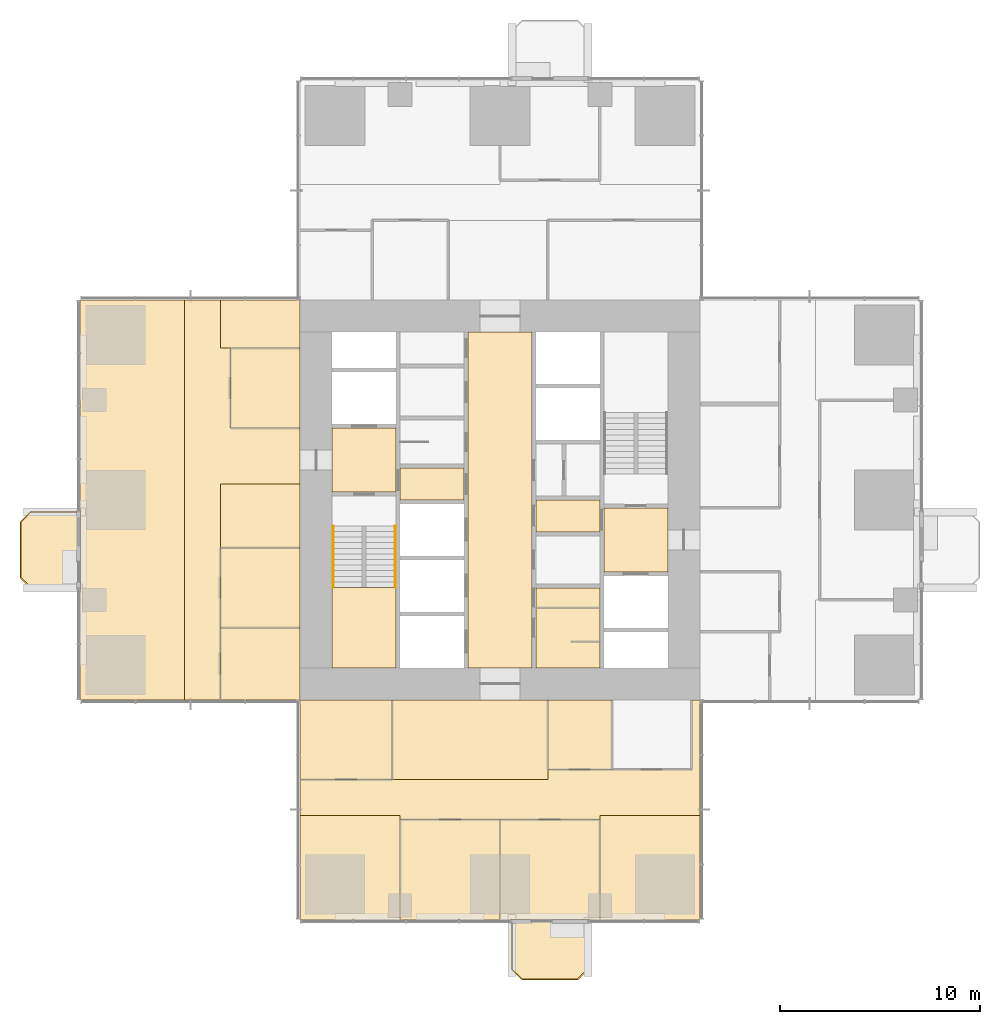
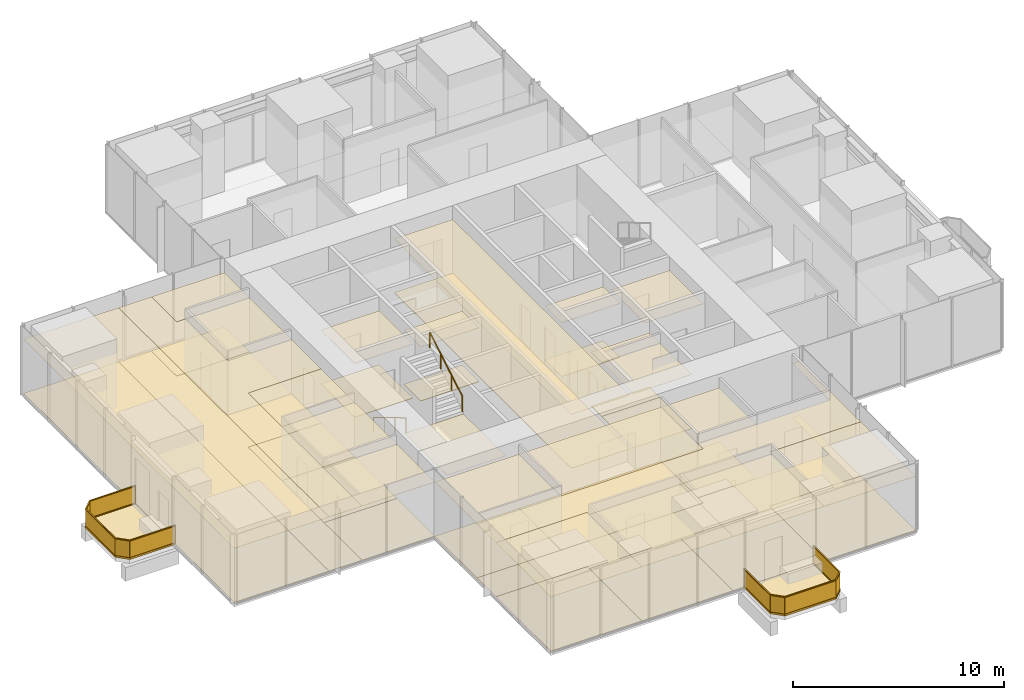
# One storey, part 11 of 13: 46 coverings, 4 railings.
"""IFC4 building model written with IfcOpenShell, lengths in metres."""

from ifc_helpers import new_model, si_unit, direction, frame, origin, origin_2d, place, context, subcontext, project, spatial, polyline, rectangle, circle, outline, extrude, material, layer, layer_set, type_object, element, save


model = new_model("IFC4")

# Units and contexts
model_context = context("Model", 3, precision=1e-05, world=origin(), true_north=direction((0.0, 1.0)))
body_context = subcontext(model_context, "Body", "Model", "MODEL_VIEW")
ifc_project = project(units=[si_unit("LENGTHUNIT", "METRE"), si_unit("AREAUNIT", "SQUARE_METRE"), si_unit("VOLUMEUNIT", "CUBIC_METRE"), si_unit("PLANEANGLEUNIT", "RADIAN"), si_unit("MASSUNIT", "GRAM", prefix="KILO")], contexts=[model_context])

# Site, building, storey
site_placement = place(None, origin())
site = spatial("IfcSite", under=ifc_project, at=site_placement, CompositionType="ELEMENT")
building_placement = place(site_placement, origin())
building = spatial("IfcBuilding", under=site, at=building_placement, Name="Svetlomir Tower", CompositionType="ELEMENT")
storey_placement = place(building_placement, frame((0.0, 0.0, 120.5)))
storey = spatial("IfcBuildingStorey", under=building, at=storey_placement, Name="L28", CompositionType="ELEMENT", Elevation=120.5)

# Railings
ifc_material_1 = material(Name="Bronze anodised aluminium and laminated glass", Category="aluminium")
railing_type_1 = type_object("IfcRailingType", Name="BALCONY GUARD GR1 1100", PredefinedType="GUARDRAIL", material=ifc_material_1)
railing_1_placement = place(storey_placement, frame((21.60009765625, 0.0, 0.0)))
element("IfcRailing", 1, at=railing_1_placement, inside=storey, type_object=railing_type_1, Name="Balcony guard S L28", PredefinedType="GUARDRAIL", context=body_context, shape_type="SweptSolid", body=[
    extrude(rectangle(XDim=0.06005859375, YDim=0.10009765625, at=origin_2d()), frame((0.0, 0.0, 0.050048828125), z_axis=(0.0, -1.0, 0.0), x_axis=(1.0, 0.0, 0.0)), (0.0, 0.0, 1.0), 2.5),
    extrude(rectangle(XDim=0.021484375, YDim=0.960205078125, at=origin_2d()), frame((0.0, 0.0, 0.580078125), z_axis=(0.0, -1.0, 0.0), x_axis=(1.0, 0.0, 0.0)), (0.0, 0.0, 1.0), 2.5),
    extrude(rectangle(XDim=0.06005859375, YDim=0.0400390625, at=origin_2d()), frame((0.0, 0.0, 1.080078125), z_axis=(0.0, -1.0, 0.0), x_axis=(1.0, 0.0, 0.0)), (0.0, 0.0, 1.0), 2.5),
    extrude(rectangle(XDim=0.06005859375, YDim=0.10009765625, at=origin_2d()), frame((0.0, -2.5, 0.050048828125), z_axis=(0.707106781187, -0.707106781187, 0.0), x_axis=(0.707106781187, 0.707106781187, 0.0)), (0.0, 0.0, 1.0), 0.70703125),
    extrude(rectangle(XDim=0.021484375, YDim=0.960205078125, at=origin_2d()), frame((0.0, -2.5, 0.580078125), z_axis=(0.707106781187, -0.707106781187, 0.0), x_axis=(0.707106781187, 0.707106781187, 0.0)), (0.0, 0.0, 1.0), 0.70703125),
    extrude(rectangle(XDim=0.06005859375, YDim=0.0400390625, at=origin_2d()), frame((0.0, -2.5, 1.080078125), z_axis=(0.707106781187, -0.707106781187, 0.0), x_axis=(0.707106781187, 0.707106781187, 0.0)), (0.0, 0.0, 1.0), 0.70703125),
    extrude(rectangle(XDim=0.06005859375, YDim=0.10009765625, at=origin_2d()), frame((0.5, -3.0, 0.050048828125), z_axis=(1.0, 0.0, 0.0), x_axis=(0.0, 1.0, 0.0)), (0.0, 0.0, 1.0), 2.7998046875),
    extrude(rectangle(XDim=0.021484375, YDim=0.960205078125, at=origin_2d()), frame((0.5, -3.0, 0.580078125), z_axis=(1.0, 0.0, 0.0), x_axis=(0.0, 1.0, 0.0)), (0.0, 0.0, 1.0), 2.7998046875),
    extrude(rectangle(XDim=0.06005859375, YDim=0.0400390625, at=origin_2d()), frame((0.5, -3.0, 1.080078125), z_axis=(1.0, 0.0, 0.0), x_axis=(0.0, 1.0, 0.0)), (0.0, 0.0, 1.0), 2.7998046875),
    extrude(rectangle(XDim=0.06005859375, YDim=0.10009765625, at=origin_2d()), frame((3.2998046875, -3.0, 0.050048828125), z_axis=(0.707106781187, 0.707106781187, 0.0), x_axis=(-0.707106781187, 0.707106781187, 0.0)), (0.0, 0.0, 1.0), 0.70703125),
    extrude(rectangle(XDim=0.021484375, YDim=0.960205078125, at=origin_2d()), frame((3.2998046875, -3.0, 0.580078125), z_axis=(0.707106781187, 0.707106781187, 0.0), x_axis=(-0.707106781187, 0.707106781187, 0.0)), (0.0, 0.0, 1.0), 0.70703125),
    extrude(rectangle(XDim=0.06005859375, YDim=0.0400390625, at=origin_2d()), frame((3.2998046875, -3.0, 1.080078125), z_axis=(0.707106781187, 0.707106781187, 0.0), x_axis=(-0.707106781187, 0.707106781187, 0.0)), (0.0, 0.0, 1.0), 0.70703125),
    extrude(rectangle(XDim=0.06005859375, YDim=0.10009765625, at=origin_2d()), frame((3.7998046875, -2.5, 0.050048828125), z_axis=(0.0, 1.0, 0.0), x_axis=(-1.0, 0.0, 0.0)), (0.0, 0.0, 1.0), 2.5),
    extrude(rectangle(XDim=0.021484375, YDim=0.960205078125, at=origin_2d()), frame((3.7998046875, -2.5, 0.580078125), z_axis=(0.0, 1.0, 0.0), x_axis=(-1.0, 0.0, 0.0)), (0.0, 0.0, 1.0), 2.5),
    extrude(rectangle(XDim=0.06005859375, YDim=0.0400390625, at=origin_2d()), frame((3.7998046875, -2.5, 1.080078125), z_axis=(0.0, 1.0, 0.0), x_axis=(-1.0, 0.0, 0.0)), (0.0, 0.0, 1.0), 2.5),
])
railing_2_placement = place(storey_placement, frame((0.0, 20.39990234375, 0.0)))
element("IfcRailing", 2, at=railing_2_placement, inside=storey, type_object=railing_type_1, Name="Balcony guard W L28", PredefinedType="GUARDRAIL", context=body_context, shape_type="SweptSolid", body=[
    extrude(rectangle(XDim=0.06005859375, YDim=0.10009765625, at=origin_2d()), frame((0.0, 0.0, 0.050048828125), z_axis=(-1.0, 0.0, 0.0), x_axis=(0.0, -1.0, 0.0)), (0.0, 0.0, 1.0), 2.5),
    extrude(rectangle(XDim=0.021484375, YDim=0.960205078125, at=origin_2d()), frame((0.0, 0.0, 0.580078125), z_axis=(-1.0, 0.0, 0.0), x_axis=(0.0, -1.0, 0.0)), (0.0, 0.0, 1.0), 2.5),
    extrude(rectangle(XDim=0.06005859375, YDim=0.0400390625, at=origin_2d()), frame((0.0, 0.0, 1.080078125), z_axis=(-1.0, 0.0, 0.0), x_axis=(0.0, -1.0, 0.0)), (0.0, 0.0, 1.0), 2.5),
    extrude(rectangle(XDim=0.06005859375, YDim=0.10009765625, at=origin_2d()), frame((-2.5, 0.0, 0.050048828125), z_axis=(-0.707106781187, -0.707106781187, 0.0), x_axis=(0.707106781187, -0.707106781187, 0.0)), (0.0, 0.0, 1.0), 0.70703125),
    extrude(rectangle(XDim=0.021484375, YDim=0.960205078125, at=origin_2d()), frame((-2.5, 0.0, 0.580078125), z_axis=(-0.707106781187, -0.707106781187, 0.0), x_axis=(0.707106781187, -0.707106781187, 0.0)), (0.0, 0.0, 1.0), 0.70703125),
    extrude(rectangle(XDim=0.06005859375, YDim=0.0400390625, at=origin_2d()), frame((-2.5, 0.0, 1.080078125), z_axis=(-0.707106781187, -0.707106781187, 0.0), x_axis=(0.707106781187, -0.707106781187, 0.0)), (0.0, 0.0, 1.0), 0.70703125),
    extrude(rectangle(XDim=0.06005859375, YDim=0.10009765625, at=origin_2d()), frame((-3.0, -0.5, 0.050048828125), z_axis=(0.0, -1.0, 0.0), x_axis=(1.0, 0.0, 0.0)), (0.0, 0.0, 1.0), 2.7998046875),
    extrude(rectangle(XDim=0.021484375, YDim=0.960205078125, at=origin_2d()), frame((-3.0, -0.5, 0.580078125), z_axis=(0.0, -1.0, 0.0), x_axis=(1.0, 0.0, 0.0)), (0.0, 0.0, 1.0), 2.7998046875),
    extrude(rectangle(XDim=0.06005859375, YDim=0.0400390625, at=origin_2d()), frame((-3.0, -0.5, 1.080078125), z_axis=(0.0, -1.0, 0.0), x_axis=(1.0, 0.0, 0.0)), (0.0, 0.0, 1.0), 2.7998046875),
    extrude(rectangle(XDim=0.06005859375, YDim=0.10009765625, at=origin_2d()), frame((-3.0, -3.2998046875, 0.050048828125), z_axis=(0.707106781187, -0.707106781187, 0.0), x_axis=(0.707106781187, 0.707106781187, 0.0)), (0.0, 0.0, 1.0), 0.70703125),
    extrude(rectangle(XDim=0.021484375, YDim=0.960205078125, at=origin_2d()), frame((-3.0, -3.2998046875, 0.580078125), z_axis=(0.707106781187, -0.707106781187, 0.0), x_axis=(0.707106781187, 0.707106781187, 0.0)), (0.0, 0.0, 1.0), 0.70703125),
    extrude(rectangle(XDim=0.06005859375, YDim=0.0400390625, at=origin_2d()), frame((-3.0, -3.2998046875, 1.080078125), z_axis=(0.707106781187, -0.707106781187, 0.0), x_axis=(0.707106781187, 0.707106781187, 0.0)), (0.0, 0.0, 1.0), 0.70703125),
    extrude(rectangle(XDim=0.06005859375, YDim=0.10009765625, at=origin_2d()), frame((-2.5, -3.7998046875, 0.050048828125), z_axis=(1.0, 0.0, 0.0), x_axis=(0.0, 1.0, 0.0)), (0.0, 0.0, 1.0), 2.5),
    extrude(rectangle(XDim=0.021484375, YDim=0.960205078125, at=origin_2d()), frame((-2.5, -3.7998046875, 0.580078125), z_axis=(1.0, 0.0, 0.0), x_axis=(0.0, 1.0, 0.0)), (0.0, 0.0, 1.0), 2.5),
    extrude(rectangle(XDim=0.06005859375, YDim=0.0400390625, at=origin_2d()), frame((-2.5, -3.7998046875, 1.080078125), z_axis=(1.0, 0.0, 0.0), x_axis=(0.0, 1.0, 0.0)), (0.0, 0.0, 1.0), 2.5),
])

# Coverings
ifc_material_2 = material(Name="Granite paving slabs on pedestals", Category="masonry")
ifc_layer_1 = layer(ifc_material_2, 0.0400390625)
ifc_layer_set_1 = layer_set([ifc_layer_1], Name="Granite paving slabs on pedestals")
covering_type_1 = type_object("IfcCoveringType", Name="BALCONY PAVING 40", PredefinedType="USERDEFINED", material=ifc_layer_set_1)
covering_1_placement = place(storey_placement, origin())
element("IfcCovering", 3, at=covering_1_placement, inside=storey, type_object=covering_type_1, Name="Balcony paving S L28", ObjectType="BALCONY PAVING", PredefinedType="USERDEFINED", context=body_context, shape_type="SweptSolid", body=[
    extrude(outline(polyline([(21.60009765625, -2.5), (22.10009765625, -3.0), (24.89990234375, -3.0), (25.39990234375, -2.5), (25.39990234375, 0.0), (21.60009765625, 0.0), (21.60009765625, -2.5)])), origin(), (0.0, 0.0, 1.0), 0.0400390625),
])
covering_2_placement = place(storey_placement, origin())
element("IfcCovering", 4, at=covering_2_placement, inside=storey, type_object=covering_type_1, Name="Balcony paving W L28", ObjectType="BALCONY PAVING", PredefinedType="USERDEFINED", context=body_context, shape_type="SweptSolid", body=[
    extrude(outline(polyline([(-2.5, 16.60009765625), (0.0, 16.60009765625), (0.0, 20.39990234375), (-2.5, 20.39990234375), (-3.0, 19.89990234375), (-3.0, 17.10009765625), (-2.5, 16.60009765625)])), origin(), (0.0, 0.0, 1.0), 0.0400390625),
])
ifc_material_3 = material(Name="Carpet tile", Category="textile")
ifc_layer_2 = layer(ifc_material_3, 0.010009765625)
ifc_layer_set_2 = layer_set([ifc_layer_2], Name="Carpet tile")
covering_type_2 = type_object("IfcCoveringType", Name="CARPET TILE FLOOR 10", PredefinedType="FLOORING", material=ifc_layer_set_2)
covering_3_placement = place(storey_placement, origin())
element("IfcCovering", 5, at=covering_3_placement, inside=storey, type_object=covering_type_2, Name="Floor finish L28-16", PredefinedType="FLOORING", context=body_context, shape_type="SweptSolid", body=[
    extrude(outline(polyline([(11.0, 7.0), (15.60009765625, 7.0), (15.60009765625, 11.0), (11.0, 11.0), (11.0, 7.0)])), origin(), (0.0, 0.0, 1.0), 0.010009765625),
])
covering_4_placement = place(storey_placement, origin())
element("IfcCovering", 6, at=covering_4_placement, inside=storey, type_object=covering_type_2, Name="Floor finish L28-17", PredefinedType="FLOORING", context=body_context, shape_type="SweptSolid", body=[
    extrude(outline(polyline([(23.39990234375, 7.5), (26.60009765625, 7.5), (26.60009765625, 11.0), (23.39990234375, 11.0), (23.39990234375, 7.5)])), origin(), (0.0, 0.0, 1.0), 0.010009765625),
])
covering_5_placement = place(storey_placement, origin())
element("IfcCovering", 7, at=covering_5_placement, inside=storey, type_object=covering_type_2, Name="Floor finish L28-19", PredefinedType="FLOORING", context=body_context, shape_type="SweptSolid", body=[
    extrude(outline(polyline([(16.0, 0.0), (21.0, 0.0), (21.0, 5.0), (16.0, 5.0), (16.0, 0.0)])), origin(), (0.0, 0.0, 1.0), 0.010009765625),
])
covering_6_placement = place(storey_placement, origin())
element("IfcCovering", 8, at=covering_6_placement, inside=storey, type_object=covering_type_2, Name="Floor finish L28-20", PredefinedType="FLOORING", context=body_context, shape_type="SweptSolid", body=[
    extrude(outline(polyline([(21.0, 0.0), (26.0, 0.0), (26.0, 5.0), (21.0, 5.0), (21.0, 0.0)])), origin(), (0.0, 0.0, 1.0), 0.010009765625),
])
covering_7_placement = place(storey_placement, origin())
element("IfcCovering", 9, at=covering_7_placement, inside=storey, type_object=covering_type_2, Name="Floor finish L28-30", PredefinedType="FLOORING", context=body_context, shape_type="SweptSolid", body=[
    extrude(outline(polyline([(7.0, 11.0), (11.0, 11.0), (11.0, 14.60009765625), (7.0, 14.60009765625), (7.0, 11.0)])), origin(), (0.0, 0.0, 1.0), 0.010009765625),
])
covering_8_placement = place(storey_placement, origin())
element("IfcCovering", 10, at=covering_8_placement, inside=storey, type_object=covering_type_2, Name="Floor finish L28-31", PredefinedType="FLOORING", context=body_context, shape_type="SweptSolid", body=[
    extrude(outline(polyline([(7.0, 14.60009765625), (11.0, 14.60009765625), (11.0, 18.60009765625), (7.0, 18.60009765625), (7.0, 14.60009765625)])), origin(), (0.0, 0.0, 1.0), 0.010009765625),
])
covering_9_placement = place(storey_placement, origin())
element("IfcCovering", 11, at=covering_9_placement, inside=storey, type_object=covering_type_2, Name="Floor finish L28-32", PredefinedType="FLOORING", context=body_context, shape_type="SweptSolid", body=[
    extrude(outline(polyline([(7.5, 24.60009765625), (11.0, 24.60009765625), (11.0, 28.60009765625), (7.5, 28.60009765625), (7.5, 24.60009765625)])), origin(), (0.0, 0.0, 1.0), 0.010009765625),
])
covering_10_placement = place(storey_placement, origin())
element("IfcCovering", 12, at=covering_10_placement, inside=storey, type_object=covering_type_2, Name="Floor finish L28-33", PredefinedType="FLOORING", context=body_context, shape_type="SweptSolid", body=[
    extrude(outline(polyline([(16.0, 5.0), (16.0, 5.199951171875), (11.0, 5.199951171875), (11.0, 7.0), (23.39990234375, 7.0), (23.39990234375, 7.5), (30.60009765625, 7.5), (30.60009765625, 11.0), (31.0, 11.0), (31.0, 5.199951171875), (26.0, 5.199951171875), (26.0, 5.0), (16.0, 5.0)])), origin(), (0.0, 0.0, 1.0), 0.010009765625),
])
covering_11_placement = place(storey_placement, origin())
element("IfcCovering", 13, at=covering_11_placement, inside=storey, type_object=covering_type_2, Name="Floor finish L28-34", PredefinedType="FLOORING", context=body_context, shape_type="SweptSolid", body=[
    extrude(outline(polyline([(7.0, 21.800048828125), (7.0, 11.0), (5.199951171875, 11.0), (5.199951171875, 31.0), (7.0, 31.0), (7.0, 28.60009765625), (7.5, 28.60009765625), (7.5, 24.60009765625), (11.0, 24.60009765625), (11.0, 21.800048828125), (7.0, 21.800048828125)])), origin(), (0.0, 0.0, 1.0), 0.010009765625),
])
covering_12_placement = place(storey_placement, origin())
element("IfcCovering", 14, at=covering_12_placement, inside=storey, type_object=covering_type_2, Name="Floor finish L28-37", PredefinedType="FLOORING", context=body_context, shape_type="SweptSolid", body=[
    extrude(outline(polyline([(16.0, 5.199951171875), (16.0, 0.0), (11.0, 0.0), (11.0, 5.199951171875), (16.0, 5.199951171875)])), origin(), (0.0, 0.0, 1.0), 0.010009765625),
])
covering_13_placement = place(storey_placement, origin())
element("IfcCovering", 15, at=covering_13_placement, inside=storey, type_object=covering_type_2, Name="Floor finish L28-38", PredefinedType="FLOORING", context=body_context, shape_type="SweptSolid", body=[
    extrude(outline(polyline([(23.39990234375, 11.0), (23.39990234375, 7.0), (15.60009765625, 7.0), (15.60009765625, 11.0), (23.39990234375, 11.0)])), origin(), (0.0, 0.0, 1.0), 0.010009765625),
])
covering_14_placement = place(storey_placement, origin())
element("IfcCovering", 16, at=covering_14_placement, inside=storey, type_object=covering_type_2, Name="Floor finish L28-39", PredefinedType="FLOORING", context=body_context, shape_type="SweptSolid", body=[
    extrude(outline(polyline([(26.0, 0.0), (26.0, 5.199951171875), (31.0, 5.199951171875), (31.0, 0.0), (26.0, 0.0)])), origin(), (0.0, 0.0, 1.0), 0.010009765625),
])
covering_15_placement = place(storey_placement, origin())
element("IfcCovering", 17, at=covering_15_placement, inside=storey, type_object=covering_type_2, Name="Floor finish L28-45", PredefinedType="FLOORING", context=body_context, shape_type="SweptSolid", body=[
    extrude(outline(polyline([(5.199951171875, 31.0), (5.199951171875, 11.0), (0.0, 11.0), (0.0, 31.0), (5.199951171875, 31.0)])), origin(), (0.0, 0.0, 1.0), 0.010009765625),
])
covering_16_placement = place(storey_placement, origin())
element("IfcCovering", 18, at=covering_16_placement, inside=storey, type_object=covering_type_2, Name="Floor finish L28-46", PredefinedType="FLOORING", context=body_context, shape_type="SweptSolid", body=[
    extrude(outline(polyline([(11.0, 28.60009765625), (7.0, 28.60009765625), (7.0, 31.0), (11.0, 31.0), (11.0, 28.60009765625)])), origin(), (0.0, 0.0, 1.0), 0.010009765625),
])
covering_17_placement = place(storey_placement, origin())
element("IfcCovering", 19, at=covering_17_placement, inside=storey, type_object=covering_type_2, Name="Floor finish L28-47", PredefinedType="FLOORING", context=body_context, shape_type="SweptSolid", body=[
    extrude(outline(polyline([(7.0, 18.60009765625), (7.0, 21.800048828125), (11.0, 21.800048828125), (11.0, 18.60009765625), (7.0, 18.60009765625)])), origin(), (0.0, 0.0, 1.0), 0.010009765625),
])
ifc_material_4 = material(Name="Ceramic floor tile", Category="ceramic")
ifc_layer_3 = layer(ifc_material_4, 0.014892578125)
ifc_layer_set_3 = layer_set([ifc_layer_3], Name="Ceramic floor tile")
covering_type_3 = type_object("IfcCoveringType", Name="CERAMIC TILE FLOOR 15", PredefinedType="FLOORING", material=ifc_layer_set_3)
covering_18_placement = place(storey_placement, origin())
element("IfcCovering", 20, at=covering_18_placement, inside=storey, type_object=covering_type_3, Name="Floor finish L28-08", PredefinedType="FLOORING", context=body_context, shape_type="SweptSolid", body=[
    extrude(outline(polyline([(22.800048828125, 15.60009765625), (26.0, 15.60009765625), (26.0, 16.60009765625), (22.800048828125, 16.60009765625), (22.800048828125, 15.60009765625)])), origin(), (0.0, 0.0, 1.0), 0.014892578125),
])
covering_19_placement = place(storey_placement, origin())
element("IfcCovering", 21, at=covering_19_placement, inside=storey, type_object=covering_type_3, Name="Floor finish L28-09", PredefinedType="FLOORING", context=body_context, shape_type="SweptSolid", body=[
    extrude(outline(polyline([(22.800048828125, 12.60009765625), (26.0, 12.60009765625), (26.0, 15.60009765625), (22.800048828125, 15.60009765625), (22.800048828125, 12.60009765625)])), origin(), (0.0, 0.0, 1.0), 0.014892578125),
])

# Railings
ifc_material_5 = material(Name="Stainless steel", Category="steel")
railing_type_2 = type_object("IfcRailingType", Name="HANDRAIL HR1 900", PredefinedType="HANDRAIL", material=ifc_material_5)
railing_3_placement = place(storey_placement, frame((12.64990234375, 19.699951171875, 0.166748046875)))
element("IfcRailing", 22, at=railing_3_placement, inside=storey, type_object=railing_type_2, Name="Handrail S1 flight 1 L28", PredefinedType="HANDRAIL", context=body_context, shape_type="SweptSolid", body=[
    extrude(circle(Radius=0.02392578125, at=origin_2d()), frame((0.0, 0.0, 0.8759765625), z_axis=(0.0, -0.859290745958, 0.51148745235), x_axis=(1.0, 0.0, 0.0)), (0.0, 0.0, 1.0), 3.584228515625),
    extrude(circle(Radius=0.02099609375, at=origin_2d()), origin(), (0.0, 0.0, 1.0), 0.851806640625),
    extrude(circle(Radius=0.02099609375, at=origin_2d()), frame((0.0, -1.026611328125, 0.611083984375)), (0.0, 0.0, 1.0), 0.851806640625),
    extrude(circle(Radius=0.02099609375, at=origin_2d()), frame((0.0, -2.05322265625, 1.22216796875)), (0.0, 0.0, 1.0), 0.851806640625),
    extrude(circle(Radius=0.02099609375, at=origin_2d()), frame((0.0, -3.079833984375, 1.833251953125)), (0.0, 0.0, 1.0), 0.851806640625),
])
railing_4_placement = place(storey_placement, frame((15.75, 16.6201171875, 2.166748046875)))
element("IfcRailing", 23, at=railing_4_placement, inside=storey, type_object=railing_type_2, Name="Handrail S1 flight 2 L28", PredefinedType="HANDRAIL", context=body_context, shape_type="SweptSolid", body=[
    extrude(circle(Radius=0.02392578125, at=origin_2d()), frame((0.0, 0.0, 0.8759765625), z_axis=(0.0, 0.859290745958, 0.51148745235), x_axis=(-1.0, 0.0, 0.0)), (0.0, 0.0, 1.0), 3.584228515625),
    extrude(circle(Radius=0.02099609375, at=origin_2d()), origin(), (0.0, 0.0, 1.0), 0.851806640625),
    extrude(circle(Radius=0.02099609375, at=origin_2d()), frame((0.0, 1.026611328125, 0.611083984375)), (0.0, 0.0, 1.0), 0.851806640625),
    extrude(circle(Radius=0.02099609375, at=origin_2d()), frame((0.0, 2.05322265625, 1.22216796875)), (0.0, 0.0, 1.0), 0.851806640625),
    extrude(circle(Radius=0.02099609375, at=origin_2d()), frame((0.0, 3.079833984375, 1.833251953125)), (0.0, 0.0, 1.0), 0.851806640625),
])

# Coverings
ifc_material_6 = material(Name="Moisture resistant plasterboard ceiling", Category="gypsum")
ifc_layer_4 = layer(ifc_material_6, 0.012451171875)
ifc_layer_set_4 = layer_set([ifc_layer_4], Name="Moisture resistant plasterboard ceiling")
covering_type_4 = type_object("IfcCoveringType", Name="MOISTURE RESISTANT CEILING 12.5", PredefinedType="CEILING", material=ifc_layer_set_4)
covering_20_placement = place(storey_placement, frame((0.0, 0.0, 3.137451171875)))
element("IfcCovering", 24, at=covering_20_placement, inside=storey, type_object=covering_type_4, Name="Ceiling L28-08", PredefinedType="CEILING", context=body_context, shape_type="SweptSolid", body=[
    extrude(outline(polyline([(22.800048828125, 15.60009765625), (26.0, 15.60009765625), (26.0, 16.60009765625), (22.800048828125, 16.60009765625), (22.800048828125, 15.60009765625)])), origin(), (0.0, 0.0, 1.0), 0.012451171875),
])
covering_21_placement = place(storey_placement, frame((0.0, 0.0, 3.137451171875)))
element("IfcCovering", 25, at=covering_21_placement, inside=storey, type_object=covering_type_4, Name="Ceiling L28-09", PredefinedType="CEILING", context=body_context, shape_type="SweptSolid", body=[
    extrude(outline(polyline([(22.800048828125, 12.60009765625), (26.0, 12.60009765625), (26.0, 15.60009765625), (22.800048828125, 15.60009765625), (22.800048828125, 12.60009765625)])), origin(), (0.0, 0.0, 1.0), 0.012451171875),
])
ifc_material_7 = material(Name="Gypsum plasterboard ceiling", Category="gypsum")
ifc_layer_5 = layer(ifc_material_7, 0.014892578125)
ifc_layer_set_5 = layer_set([ifc_layer_5], Name="Gypsum plasterboard ceiling")
covering_type_5 = type_object("IfcCoveringType", Name="PLASTERBOARD CEILING 15", PredefinedType="CEILING", material=ifc_layer_set_5)
covering_22_placement = place(storey_placement, frame((0.0, 0.0, 3.135009765625)))
element("IfcCovering", 26, at=covering_22_placement, inside=storey, type_object=covering_type_5, Name="Ceiling L28-02", PredefinedType="CEILING", context=body_context, shape_type="SweptSolid", body=[
    extrude(outline(polyline([(12.60009765625, 21.39990234375), (15.800048828125, 21.39990234375), (15.800048828125, 24.60009765625), (12.60009765625, 24.60009765625), (12.60009765625, 21.39990234375)])), origin(), (0.0, 0.0, 1.0), 0.014892578125),
])
covering_23_placement = place(storey_placement, frame((0.0, 0.0, 3.135009765625)))
element("IfcCovering", 27, at=covering_23_placement, inside=storey, type_object=covering_type_5, Name="Ceiling L28-03", PredefinedType="CEILING", context=body_context, shape_type="SweptSolid", body=[
    extrude(outline(polyline([(16.0, 21.0), (19.199951171875, 21.0), (19.199951171875, 22.60009765625), (16.0, 22.60009765625), (16.0, 21.0)])), origin(), (0.0, 0.0, 1.0), 0.014892578125),
])
covering_24_placement = place(storey_placement, frame((0.0, 0.0, 3.135009765625)))
element("IfcCovering", 28, at=covering_24_placement, inside=storey, type_object=covering_type_5, Name="Ceiling L28-07", PredefinedType="CEILING", context=body_context, shape_type="SweptSolid", body=[
    extrude(outline(polyline([(19.39990234375, 12.60009765625), (22.60009765625, 12.60009765625), (22.60009765625, 29.39990234375), (19.39990234375, 29.39990234375), (19.39990234375, 12.60009765625)])), origin(), (0.0, 0.0, 1.0), 0.014892578125),
])
covering_25_placement = place(storey_placement, frame((0.0, 0.0, 3.135009765625)))
element("IfcCovering", 29, at=covering_25_placement, inside=storey, type_object=covering_type_5, Name="Ceiling L28-11", PredefinedType="CEILING", context=body_context, shape_type="SweptSolid", body=[
    extrude(outline(polyline([(22.800048828125, 19.39990234375), (26.0, 19.39990234375), (26.0, 21.0), (22.800048828125, 21.0), (22.800048828125, 19.39990234375)])), origin(), (0.0, 0.0, 1.0), 0.014892578125),
])
covering_26_placement = place(storey_placement, frame((0.0, 0.0, 3.135009765625)))
element("IfcCovering", 30, at=covering_26_placement, inside=storey, type_object=covering_type_5, Name="Ceiling L28-12", PredefinedType="CEILING", context=body_context, shape_type="SweptSolid", body=[
    extrude(outline(polyline([(26.199951171875, 17.39990234375), (29.39990234375, 17.39990234375), (29.39990234375, 20.60009765625), (26.199951171875, 20.60009765625), (26.199951171875, 17.39990234375)])), origin(), (0.0, 0.0, 1.0), 0.014892578125),
])
ifc_material_8 = material(Name="Studded rubber floor finish", Category="rubber")
ifc_layer_6 = layer(ifc_material_8, 0.006103515625)
ifc_layer_set_6 = layer_set([ifc_layer_6], Name="Studded rubber floor finish")
covering_type_6 = type_object("IfcCoveringType", Name="RUBBER LANDING FINISH 6", PredefinedType="FLOORING", material=ifc_layer_set_6)
covering_27_placement = place(storey_placement, frame((0.0, 0.0, 2.0)))
element("IfcCovering", 31, at=covering_27_placement, inside=storey, type_object=covering_type_6, Name="Stair S1 landing finish L28", PredefinedType="FLOORING", context=body_context, shape_type="SweptSolid", body=[
    extrude(outline(polyline([(12.60009765625, 12.60009765625), (15.800048828125, 12.60009765625), (15.800048828125, 16.6201171875), (12.60009765625, 16.6201171875), (12.60009765625, 12.60009765625)])), origin(), (0.0, 0.0, 1.0), 0.006103515625),
])
ifc_material_9 = material(Name="Mineral fibre ceiling tile", Category="mineral")
ifc_layer_7 = layer(ifc_material_9, 0.02001953125)
ifc_layer_set_7 = layer_set([ifc_layer_7], Name="Mineral fibre ceiling tile")
covering_type_7 = type_object("IfcCoveringType", Name="SUSPENDED CEILING 20", PredefinedType="CEILING", material=ifc_layer_set_7)
covering_28_placement = place(storey_placement, frame((0.0, 0.0, 3.1298828125)))
element("IfcCovering", 32, at=covering_28_placement, inside=storey, type_object=covering_type_7, Name="Ceiling L28-16", PredefinedType="CEILING", context=body_context, shape_type="SweptSolid", body=[
    extrude(outline(polyline([(11.0, 7.0), (15.60009765625, 7.0), (15.60009765625, 11.0), (11.0, 11.0), (11.0, 7.0)])), origin(), (0.0, 0.0, 1.0), 0.02001953125),
])
covering_29_placement = place(storey_placement, frame((0.0, 0.0, 3.1298828125)))
element("IfcCovering", 33, at=covering_29_placement, inside=storey, type_object=covering_type_7, Name="Ceiling L28-17", PredefinedType="CEILING", context=body_context, shape_type="SweptSolid", body=[
    extrude(outline(polyline([(23.39990234375, 7.5), (26.60009765625, 7.5), (26.60009765625, 11.0), (23.39990234375, 11.0), (23.39990234375, 7.5)])), origin(), (0.0, 0.0, 1.0), 0.02001953125),
])
covering_30_placement = place(storey_placement, frame((0.0, 0.0, 3.1298828125)))
element("IfcCovering", 34, at=covering_30_placement, inside=storey, type_object=covering_type_7, Name="Ceiling L28-19", PredefinedType="CEILING", context=body_context, shape_type="SweptSolid", body=[
    extrude(outline(polyline([(16.0, 0.0), (21.0, 0.0), (21.0, 5.0), (16.0, 5.0), (16.0, 0.0)])), origin(), (0.0, 0.0, 1.0), 0.02001953125),
])
covering_31_placement = place(storey_placement, frame((0.0, 0.0, 3.1298828125)))
element("IfcCovering", 35, at=covering_31_placement, inside=storey, type_object=covering_type_7, Name="Ceiling L28-20", PredefinedType="CEILING", context=body_context, shape_type="SweptSolid", body=[
    extrude(outline(polyline([(21.0, 0.0), (26.0, 0.0), (26.0, 5.0), (21.0, 5.0), (21.0, 0.0)])), origin(), (0.0, 0.0, 1.0), 0.02001953125),
])
covering_32_placement = place(storey_placement, frame((0.0, 0.0, 3.1298828125)))
element("IfcCovering", 36, at=covering_32_placement, inside=storey, type_object=covering_type_7, Name="Ceiling L28-30", PredefinedType="CEILING", context=body_context, shape_type="SweptSolid", body=[
    extrude(outline(polyline([(7.0, 11.0), (11.0, 11.0), (11.0, 14.60009765625), (7.0, 14.60009765625), (7.0, 11.0)])), origin(), (0.0, 0.0, 1.0), 0.02001953125),
])
covering_33_placement = place(storey_placement, frame((0.0, 0.0, 3.1298828125)))
element("IfcCovering", 37, at=covering_33_placement, inside=storey, type_object=covering_type_7, Name="Ceiling L28-31", PredefinedType="CEILING", context=body_context, shape_type="SweptSolid", body=[
    extrude(outline(polyline([(7.0, 14.60009765625), (11.0, 14.60009765625), (11.0, 18.60009765625), (7.0, 18.60009765625), (7.0, 14.60009765625)])), origin(), (0.0, 0.0, 1.0), 0.02001953125),
])
covering_34_placement = place(storey_placement, frame((0.0, 0.0, 3.1298828125)))
element("IfcCovering", 38, at=covering_34_placement, inside=storey, type_object=covering_type_7, Name="Ceiling L28-32", PredefinedType="CEILING", context=body_context, shape_type="SweptSolid", body=[
    extrude(outline(polyline([(7.5, 24.60009765625), (11.0, 24.60009765625), (11.0, 28.60009765625), (7.5, 28.60009765625), (7.5, 24.60009765625)])), origin(), (0.0, 0.0, 1.0), 0.02001953125),
])
covering_35_placement = place(storey_placement, frame((0.0, 0.0, 3.1298828125)))
element("IfcCovering", 39, at=covering_35_placement, inside=storey, type_object=covering_type_7, Name="Ceiling L28-33", PredefinedType="CEILING", context=body_context, shape_type="SweptSolid", body=[
    extrude(outline(polyline([(16.0, 5.0), (16.0, 5.199951171875), (11.0, 5.199951171875), (11.0, 7.0), (23.39990234375, 7.0), (23.39990234375, 7.5), (30.60009765625, 7.5), (30.60009765625, 11.0), (31.0, 11.0), (31.0, 5.199951171875), (26.0, 5.199951171875), (26.0, 5.0), (16.0, 5.0)])), origin(), (0.0, 0.0, 1.0), 0.02001953125),
])
covering_36_placement = place(storey_placement, frame((0.0, 0.0, 3.1298828125)))
element("IfcCovering", 40, at=covering_36_placement, inside=storey, type_object=covering_type_7, Name="Ceiling L28-34", PredefinedType="CEILING", context=body_context, shape_type="SweptSolid", body=[
    extrude(outline(polyline([(7.0, 21.800048828125), (7.0, 11.0), (5.199951171875, 11.0), (5.199951171875, 31.0), (7.0, 31.0), (7.0, 28.60009765625), (7.5, 28.60009765625), (7.5, 24.60009765625), (11.0, 24.60009765625), (11.0, 21.800048828125), (7.0, 21.800048828125)])), origin(), (0.0, 0.0, 1.0), 0.02001953125),
])
covering_37_placement = place(storey_placement, frame((0.0, 0.0, 3.1298828125)))
element("IfcCovering", 41, at=covering_37_placement, inside=storey, type_object=covering_type_7, Name="Ceiling L28-37", PredefinedType="CEILING", context=body_context, shape_type="SweptSolid", body=[
    extrude(outline(polyline([(16.0, 5.199951171875), (16.0, 0.0), (11.0, 0.0), (11.0, 5.199951171875), (16.0, 5.199951171875)])), origin(), (0.0, 0.0, 1.0), 0.02001953125),
])
covering_38_placement = place(storey_placement, frame((0.0, 0.0, 3.1298828125)))
element("IfcCovering", 42, at=covering_38_placement, inside=storey, type_object=covering_type_7, Name="Ceiling L28-38", PredefinedType="CEILING", context=body_context, shape_type="SweptSolid", body=[
    extrude(outline(polyline([(23.39990234375, 11.0), (23.39990234375, 7.0), (15.60009765625, 7.0), (15.60009765625, 11.0), (23.39990234375, 11.0)])), origin(), (0.0, 0.0, 1.0), 0.02001953125),
])
covering_39_placement = place(storey_placement, frame((0.0, 0.0, 3.1298828125)))
element("IfcCovering", 43, at=covering_39_placement, inside=storey, type_object=covering_type_7, Name="Ceiling L28-39", PredefinedType="CEILING", context=body_context, shape_type="SweptSolid", body=[
    extrude(outline(polyline([(26.0, 0.0), (26.0, 5.199951171875), (31.0, 5.199951171875), (31.0, 0.0), (26.0, 0.0)])), origin(), (0.0, 0.0, 1.0), 0.02001953125),
])
covering_40_placement = place(storey_placement, frame((0.0, 0.0, 3.1298828125)))
element("IfcCovering", 44, at=covering_40_placement, inside=storey, type_object=covering_type_7, Name="Ceiling L28-45", PredefinedType="CEILING", context=body_context, shape_type="SweptSolid", body=[
    extrude(outline(polyline([(5.199951171875, 31.0), (5.199951171875, 11.0), (0.0, 11.0), (0.0, 31.0), (5.199951171875, 31.0)])), origin(), (0.0, 0.0, 1.0), 0.02001953125),
])
covering_41_placement = place(storey_placement, frame((0.0, 0.0, 3.1298828125)))
element("IfcCovering", 45, at=covering_41_placement, inside=storey, type_object=covering_type_7, Name="Ceiling L28-46", PredefinedType="CEILING", context=body_context, shape_type="SweptSolid", body=[
    extrude(outline(polyline([(11.0, 28.60009765625), (7.0, 28.60009765625), (7.0, 31.0), (11.0, 31.0), (11.0, 28.60009765625)])), origin(), (0.0, 0.0, 1.0), 0.02001953125),
])
covering_42_placement = place(storey_placement, frame((0.0, 0.0, 3.1298828125)))
element("IfcCovering", 46, at=covering_42_placement, inside=storey, type_object=covering_type_7, Name="Ceiling L28-47", PredefinedType="CEILING", context=body_context, shape_type="SweptSolid", body=[
    extrude(outline(polyline([(7.0, 18.60009765625), (7.0, 21.800048828125), (11.0, 21.800048828125), (11.0, 18.60009765625), (7.0, 18.60009765625)])), origin(), (0.0, 0.0, 1.0), 0.02001953125),
])
ifc_material_10 = material(Name="Bronze-aggregate terrazzo", Category="stone")
ifc_layer_8 = layer(ifc_material_10, 0.030029296875)
ifc_layer_set_8 = layer_set([ifc_layer_8], Name="Bronze-aggregate terrazzo")
covering_type_8 = type_object("IfcCoveringType", Name="TERRAZZO FLOOR 30", PredefinedType="FLOORING", material=ifc_layer_set_8)
covering_43_placement = place(storey_placement, origin())
element("IfcCovering", 47, at=covering_43_placement, inside=storey, type_object=covering_type_8, Name="Floor finish L28-02", PredefinedType="FLOORING", context=body_context, shape_type="SweptSolid", body=[
    extrude(outline(polyline([(12.60009765625, 21.39990234375), (15.800048828125, 21.39990234375), (15.800048828125, 24.60009765625), (12.60009765625, 24.60009765625), (12.60009765625, 21.39990234375)])), origin(), (0.0, 0.0, 1.0), 0.030029296875),
])
covering_44_placement = place(storey_placement, origin())
element("IfcCovering", 48, at=covering_44_placement, inside=storey, type_object=covering_type_8, Name="Floor finish L28-03", PredefinedType="FLOORING", context=body_context, shape_type="SweptSolid", body=[
    extrude(outline(polyline([(16.0, 21.0), (19.199951171875, 21.0), (19.199951171875, 22.60009765625), (16.0, 22.60009765625), (16.0, 21.0)])), origin(), (0.0, 0.0, 1.0), 0.030029296875),
])
covering_45_placement = place(storey_placement, origin())
element("IfcCovering", 49, at=covering_45_placement, inside=storey, type_object=covering_type_8, Name="Floor finish L28-07", PredefinedType="FLOORING", context=body_context, shape_type="SweptSolid", body=[
    extrude(outline(polyline([(19.39990234375, 12.60009765625), (22.60009765625, 12.60009765625), (22.60009765625, 29.39990234375), (19.39990234375, 29.39990234375), (19.39990234375, 12.60009765625)])), origin(), (0.0, 0.0, 1.0), 0.030029296875),
])
covering_46_placement = place(storey_placement, origin())
element("IfcCovering", 50, at=covering_46_placement, inside=storey, type_object=covering_type_8, Name="Floor finish L28-11", PredefinedType="FLOORING", context=body_context, shape_type="SweptSolid", body=[
    extrude(outline(polyline([(22.800048828125, 19.39990234375), (26.0, 19.39990234375), (26.0, 21.0), (22.800048828125, 21.0), (22.800048828125, 19.39990234375)])), origin(), (0.0, 0.0, 1.0), 0.030029296875),
])

save(model, "model.ifc")
